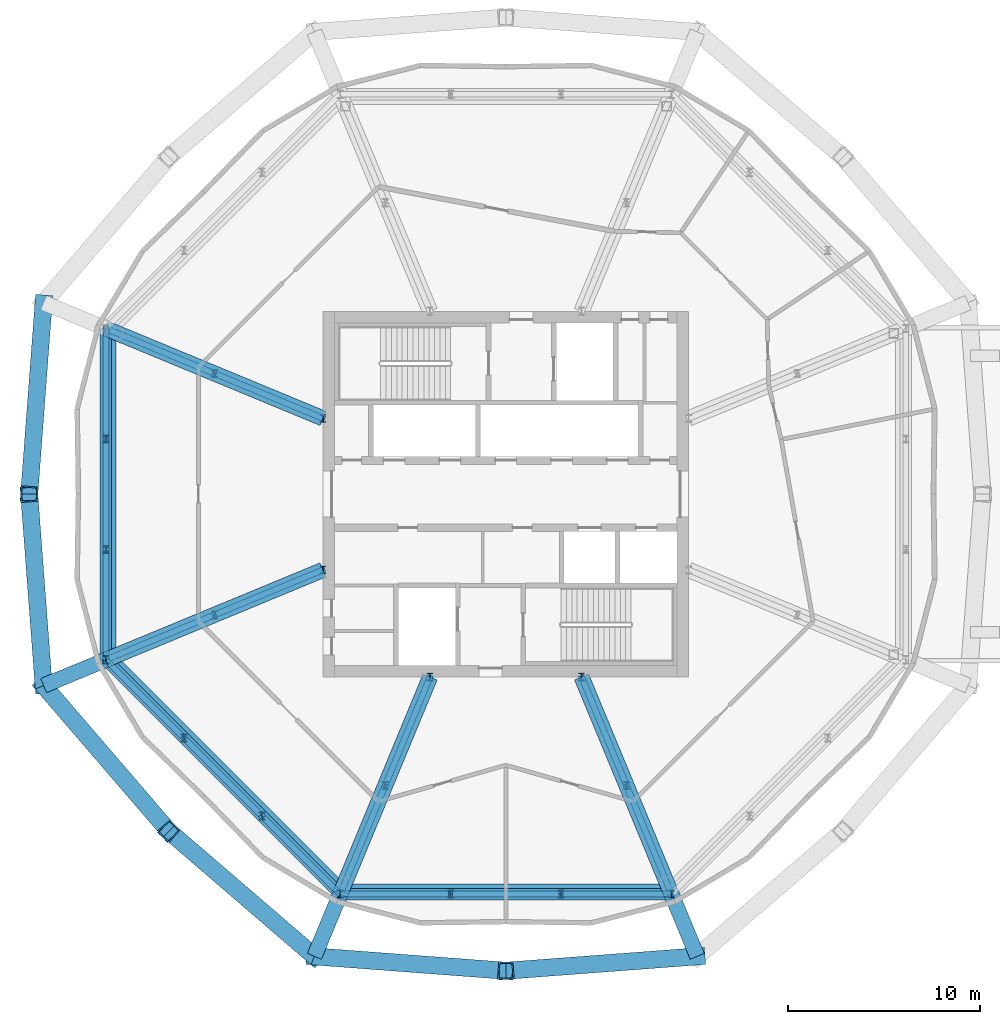
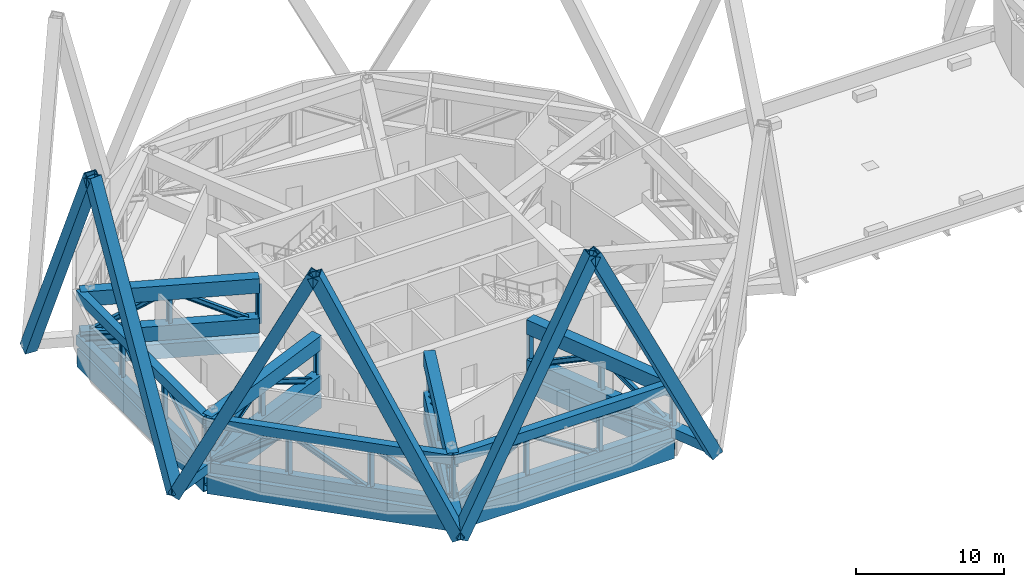
# One storey, part 3 of 20: 54 members, 10 beams.
"""IFC4 building model written with IfcOpenShell, lengths in metres."""

import ifcopenshell
import ifcopenshell.guid

model = None  # the IFC model being written
_history = None  # IfcOwnerHistory: only IFC2X3 demands one
_inside = {}  # id of a spatial element -> (the spatial element, [elements in it])
_under = {}  # id of a project, library or spatial element -> (it, [spatial elements below it])
_declared = {}  # id of a project -> (the project, [libraries it declares])
_typed = {}  # id of a type object -> (the type object, [elements of that type])
_made_of = {}  # id of a material, layer set ... -> (it, [elements and type objects made of it])


def new_model(schema):
    """Start an empty IFC model of exactly this schema.

    Asked for "IFC4X3", IfcOpenShell would pick the latest addendum, in which some entities
    have other attributes; the version numbers below select the first issue.
    IFC2X3 requires an IfcOwnerHistory on every rooted entity: one is made here for all.
    """
    global model, _history
    if schema == "IFC4X3":
        model = ifcopenshell.file(schema_version=(4, 3, 0, 0))
    else:
        model = ifcopenshell.file(schema=schema)
    _inside.clear()
    _under.clear()
    _declared.clear()
    _typed.clear()
    _made_of.clear()
    _history = None
    if model.schema == "IFC2X3":
        org = make("IfcOrganization", Name="unknown")
        user = make(
            "IfcPersonAndOrganization",
            ThePerson=make("IfcPerson", FamilyName="unknown"),
            TheOrganization=org,
        )
        app = make(
            "IfcApplication",
            ApplicationDeveloper=org,
            Version="unknown",
            ApplicationFullName="unknown",
            ApplicationIdentifier="unknown",
        )
        _history = make(
            "IfcOwnerHistory",
            OwningUser=user,
            OwningApplication=app,
            ChangeAction="ADDED",
            CreationDate=0,
        )
    return model


def make(cls, **values):
    """One entity of the class cls with the attributes given. An attribute that is None is left unset."""
    return model.create_entity(
        cls, **{name: value for name, value in values.items() if value is not None}
    )


def rooted(cls, **values):
    """An entity with a GlobalId (a new one), such as an element, a storey or a relation."""
    return make(cls, GlobalId=ifcopenshell.guid.new(), OwnerHistory=_history, **values)


def si_unit(unit_type, name, prefix=None):
    """IfcSIUnit, for example si_unit("LENGTHUNIT", "METRE", prefix="MILLI")."""
    return make("IfcSIUnit", UnitType=unit_type, Prefix=prefix, Name=name)


def assignment(units):
    """IfcUnitAssignment: the units of a project."""
    return None if units is None else make("IfcUnitAssignment", Units=units)


def point(xyz):
    """IfcCartesianPoint."""
    return None if xyz is None else make("IfcCartesianPoint", Coordinates=xyz)


def direction(xyz):
    """IfcDirection."""
    return None if xyz is None else make("IfcDirection", DirectionRatios=xyz)


def frame(location, z_axis=None, x_axis=None):
    """IfcAxis2Placement3D, a coordinate frame: its origin and axes. An axis left out is left unset."""
    return make(
        "IfcAxis2Placement3D",
        Location=point(location),
        Axis=direction(z_axis),
        RefDirection=direction(x_axis),
    )


def frame_2d(location, x_axis=None):
    """IfcAxis2Placement2D, a coordinate frame in the plane: its origin and x axis."""
    return make(
        "IfcAxis2Placement2D", Location=point(location), RefDirection=direction(x_axis)
    )


def origin():
    """The frame at (0, 0, 0) with its axes left unset."""
    return frame((0.0, 0.0, 0.0))


def origin_2d():
    """The frame at (0, 0) in the plane with its x axis left unset."""
    return frame_2d((0.0, 0.0))


def place(relative_to, where):
    """IfcLocalPlacement: puts the frame where relative to a parent placement (None: the world)."""
    return make(
        "IfcLocalPlacement", PlacementRelTo=relative_to, RelativePlacement=where
    )


def context(
    kind, dimensions, precision=None, world=None, true_north=None, identifier=None
):
    """IfcGeometricRepresentationContext, for example the 3D "Model" context."""
    return make(
        "IfcGeometricRepresentationContext",
        ContextIdentifier=identifier,
        ContextType=kind,
        CoordinateSpaceDimension=dimensions,
        Precision=precision,
        WorldCoordinateSystem=world,
        TrueNorth=true_north,
    )


def subcontext(parent, identifier, kind, view, scale=None):
    """IfcGeometricRepresentationSubContext, for example "Body" below "Model"."""
    return make(
        "IfcGeometricRepresentationSubContext",
        ContextIdentifier=identifier,
        ContextType=kind,
        ParentContext=parent,
        TargetScale=scale,
        TargetView=view,
    )


def project(units=None, contexts=None):
    """IfcProject with its units and contexts."""
    return rooted(
        "IfcProject",
        Name="project",
        RepresentationContexts=contexts,
        UnitsInContext=assignment(units),
    )


def spatial(cls, under=None, at=None, **own):
    """A site, building, storey or space (cls), placed at a placement, below another one or the project."""
    s = rooted(cls, ObjectPlacement=at, **own)
    if under is not None:
        _under.setdefault(under.id(), (under, []))[1].append(s)
    return s


def profile(cls, at=None, kind="AREA", **sizes):
    """A parametric profile (cls). Its sizes go by their IFC names, for example OverallWidth=200.0."""
    return make(cls, ProfileType=kind, Position=at, **sizes)


def hollow_rectangle(**sizes):
    """IfcRectangleHollowProfileDef."""
    return profile("IfcRectangleHollowProfileDef", **sizes)


def i_section(**sizes):
    """IfcIShapeProfileDef."""
    return profile("IfcIShapeProfileDef", **sizes)


def extrude(swept, where, along, depth):
    """IfcExtrudedAreaSolid: the profile swept, set in the frame where, extruded along a direction by depth."""
    return make(
        "IfcExtrudedAreaSolid",
        SweptArea=swept,
        Position=where,
        ExtrudedDirection=direction(along),
        Depth=depth,
    )


def shape(context_of_items, identifier, shape_type, items):
    """IfcShapeRepresentation: the items that make up one representation, for example the "Body"."""
    return make(
        "IfcShapeRepresentation",
        ContextOfItems=context_of_items,
        RepresentationIdentifier=identifier,
        RepresentationType=shape_type,
        Items=items,
    )


def material(Name=None, Category=None):
    """IfcMaterial."""
    return make("IfcMaterial", Name=Name, Category=Category)


def material_profile(
    of_material, cross_section, Name=None, Category=None, Priority=None
):
    """IfcMaterialProfile: a cross section and its material."""
    return make(
        "IfcMaterialProfile",
        Name=Name,
        Material=of_material,
        Profile=cross_section,
        Priority=Priority,
        Category=Category,
    )


def profile_set(profiles, Name=None, composite=None):
    """IfcMaterialProfileSet."""
    return make(
        "IfcMaterialProfileSet",
        Name=Name,
        MaterialProfiles=profiles,
        CompositeProfile=composite,
    )


def made_of(thing, what):
    """Note that an element or type object is made of a material, layer set ...; save() writes the relation."""
    if what is not None:
        _made_of.setdefault(what.id(), (what, []))[1].append(thing)
    return thing


def type_object(cls, material=None, **own):
    """A type object (cls), such as IfcWallType, which elements share."""
    return made_of(rooted(cls, **own), material)


def element(
    cls,
    number,
    at=None,
    inside=None,
    cuts=None,
    type_object=None,
    material=None,
    context=None,
    identifier="Body",
    shape_type=None,
    held_by="IfcProductDefinitionShape",
    body=None,
    shapes=None,
    **own,
):
    """One element of the class cls, such as IfcWall. Its Tag is "e" and its number.

    at: its placement. inside: the storey or other place that contains it. cuts: it is an
    opening in that element (IfcRelVoidsElement). A single representation is given by context,
    identifier, shape_type and body (its items); several are given by shapes. held_by: the class
    of the entity that holds the representations. save() writes the other relations.
    """
    e = rooted(cls, Tag="e%d" % number, ObjectPlacement=at, **own)
    if body is not None:
        shapes = [shape(context, identifier, shape_type, body)]
    if shapes is not None:
        e.Representation = make(held_by, Representations=shapes)
    if inside is not None:
        _inside.setdefault(inside.id(), (inside, []))[1].append(e)
    if cuts is not None:
        rooted(
            "IfcRelVoidsElement", RelatingBuildingElement=cuts, RelatedOpeningElement=e
        )
    if type_object is not None:
        _typed.setdefault(type_object.id(), (type_object, []))[1].append(e)
    return made_of(e, material)


def aggregate(whole, parts):
    """IfcRelAggregates: a whole, such as a stair, and the parts it consists of."""
    return rooted("IfcRelAggregates", RelatingObject=whole, RelatedObjects=parts)


def save(model, path):
    """Write the relations noted so far, then the file.

    IfcRelAggregates (storeys below a building ...), IfcRelContainedInSpatialStructure (elements
    in a storey), IfcRelDefinesByType, IfcRelAssociatesMaterial and IfcRelDeclares: one each for
    every whole, place, type object, material and project.
    """
    for whole, parts in _under.values():
        aggregate(whole, parts)
    for where, things in _inside.values():
        rooted(
            "IfcRelContainedInSpatialStructure",
            RelatedElements=things,
            RelatingStructure=where,
        )
    for kind, things in _typed.values():
        rooted("IfcRelDefinesByType", RelatedObjects=things, RelatingType=kind)
    for what, things in _made_of.values():
        rooted("IfcRelAssociatesMaterial", RelatedObjects=things, RelatingMaterial=what)
    for by, libraries in _declared.values():
        rooted("IfcRelDeclares", RelatingContext=by, RelatedDefinitions=libraries)
    model.write(path)


model = new_model("IFC4")

# Units and contexts
model_context = context("Model", 3, precision=1e-05, world=origin(), true_north=direction((0.0, 1.0)))
body_context = subcontext(model_context, "Body", "Model", "MODEL_VIEW")
ifc_project = project(units=[si_unit("LENGTHUNIT", "METRE"), si_unit("AREAUNIT", "SQUARE_METRE"), si_unit("VOLUMEUNIT", "CUBIC_METRE"), si_unit("PLANEANGLEUNIT", "RADIAN"), si_unit("MASSUNIT", "GRAM", prefix="KILO")], contexts=[model_context])

# Site, building, storey
site_placement = place(None, origin())
site = spatial("IfcSite", under=ifc_project, at=site_placement, CompositionType="ELEMENT")
building_placement = place(site_placement, origin())
building = spatial("IfcBuilding", under=site, at=building_placement, Name="Ogive Gate Towers", CompositionType="ELEMENT")
storey_placement = place(building_placement, frame((0.0, 0.0, 160.800048828125)))
storey = spatial("IfcBuildingStorey", under=building, at=storey_placement, Name="L38", CompositionType="ELEMENT", Elevation=160.800048828125)

# Members
ifc_material = material(Name="Steel SM460", Category="steel")
ifc_material_profile_1 = material_profile(ifc_material, hollow_rectangle(XDim=0.89990234375, YDim=0.89990234375, WallThickness=0.070068359375, at=origin_2d()), Name="BX 900x900x70")
ifc_profile_set_1 = profile_set([ifc_material_profile_1], Name="Steel SM460")
member_type_1 = type_object("IfcMemberType", Name="Diagrid diagonal BX 900x900x70", PredefinedType="BRACE", material=ifc_profile_set_1)
for number, where, z_axis, x_axis, name in (
    (1, (-60.01171875, 9.94580078125, 0.0), (-0.032953335145, -0.437994442779, 0.898373500165), (0.997181665421, -0.075024836873, 0.0), "T1/L38/SDG008"),
    (2, (-60.01171875, -9.94580078125, 0.0), (-0.032953335145, 0.437994442779, 0.898373500165), (-0.997181665421, -0.075024836873, 0.0), "T1/L38/SDG009"),
):
    element("IfcMember", number, at=place(storey_placement, frame(where, z_axis=z_axis, x_axis=x_axis)), inside=storey, type_object=member_type_1, Name=name, PredefinedType="BRACE", context=body_context, shape_type="SweptSolid", body=[
        extrude(hollow_rectangle(XDim=0.89990234375, YDim=0.89990234375, WallThickness=0.070068359375, at=origin_2d()), origin(), (0.0, 0.0, 1.0), 22.70751953125),
    ])
for number, where, z_axis, x_axis, name in (
    (3, (-60.01171875, -9.94580078125, 0.0), (0.286407312058, -0.333025507377, 0.898367888471), (0.758179145942, 0.652046304076, 0.0), "T1/L38/SDG010"),
    (4, (-45.94580078125, -24.01171875, 0.0), (-0.333025507377, 0.286407312058, 0.898367888471), (-0.652046304076, -0.758179145942, 0.0), "T1/L38/SDG011"),
):
    element("IfcMember", number, at=place(storey_placement, frame(where, z_axis=z_axis, x_axis=x_axis)), inside=storey, type_object=member_type_1, Name=name, PredefinedType="BRACE", context=body_context, shape_type="SweptSolid", body=[
        extrude(hollow_rectangle(XDim=0.89990234375, YDim=0.89990234375, WallThickness=0.070068359375, at=origin_2d()), origin(), (0.0, 0.0, 1.0), 22.707763671875),
    ])
for number, where, z_axis, x_axis, name in (
    (5, (-45.94580078125, -24.01171875, 0.0), (0.437994442779, -0.032953335145, 0.898373500165), (0.075024836873, 0.997181665421, 0.0), "T1/L38/SDG012"),
    (6, (-26.05419921875, -24.01171875, 0.0), (-0.437994442779, -0.032953335145, 0.898373500165), (0.075024836873, -0.997181665421, 0.0), "T1/L38/SDG013"),
):
    element("IfcMember", number, at=place(storey_placement, frame(where, z_axis=z_axis, x_axis=x_axis)), inside=storey, type_object=member_type_1, Name=name, PredefinedType="BRACE", context=body_context, shape_type="SweptSolid", body=[
        extrude(hollow_rectangle(XDim=0.89990234375, YDim=0.89990234375, WallThickness=0.070068359375, at=origin_2d()), origin(), (0.0, 0.0, 1.0), 22.70751953125),
    ])

# Beams
ifc_material_profile_2 = material_profile(ifc_material, hollow_rectangle(XDim=0.800048828125, YDim=1.5, WallThickness=0.06005859375, at=origin_2d()), Name="BX 1500x800x60")
ifc_profile_set_2 = profile_set([ifc_material_profile_2], Name="Steel SM460")
beam_type_1 = type_object("IfcBeamType", Name="Edge girder BX 1500x800x60", PredefinedType="BEAM", material=ifc_profile_set_2)
beam_placement = place(storey_placement, frame((-56.639404296875, -8.549072265625, -1.050048828125), z_axis=(0.707106781187, -0.707106781187, 0.0), x_axis=(0.707106781187, 0.707106781187, 0.0)))
element("IfcBeam", 7, at=beam_placement, inside=storey, type_object=beam_type_1, Name="T1/L38/SBM009", PredefinedType="BEAM", context=body_context, shape_type="SweptSolid", body=[
    extrude(hollow_rectangle(XDim=0.800048828125, YDim=1.5, WallThickness=0.06005859375, at=origin_2d()), origin(), (0.0, 0.0, 1.0), 17.098388671875),
])
for number, where, z_axis, x_axis, name in (
    (8, (-44.549072265625, -20.639404296875, -1.050048828125), (1.0, 0.0, 0.0), (0.0, 1.0, 0.0), "T1/L38/SBM010"),
    (9, (-56.639404296875, 8.549072265625, -1.050048828125), (0.0, -1.0, 0.0), (1.0, 0.0, 0.0), "T1/L38/SBM016"),
):
    element("IfcBeam", number, at=place(storey_placement, frame(where, z_axis=z_axis, x_axis=x_axis)), inside=storey, type_object=beam_type_1, Name=name, PredefinedType="BEAM", context=body_context, shape_type="SweptSolid", body=[
        extrude(hollow_rectangle(XDim=0.800048828125, YDim=1.5, WallThickness=0.06005859375, at=origin_2d()), origin(), (0.0, 0.0, 1.0), 17.09814453125),
    ])
ifc_material_profile_3 = material_profile(ifc_material, hollow_rectangle(XDim=0.800048828125, YDim=0.800048828125, WallThickness=0.050048828125, at=origin_2d()), Name="BX 800x800x50")
ifc_profile_set_3 = profile_set([ifc_material_profile_3], Name="Steel SM460")
beam_type_2 = type_object("IfcBeamType", Name="Node arm BX 800x800x50", PredefinedType="BEAM", material=ifc_profile_set_3)
for number, where, z_axis, x_axis, name in (
    (10, (-56.778076171875, -8.6064453125, 0.449951171875), (-0.923885910704, -0.382668033682, 0.0), (0.382668033682, -0.923885910704, 0.0), "T1/L38/SBM021"),
    (11, (-44.6064453125, -20.778076171875, 0.449951171875), (-0.382668033682, -0.923885910704, 0.0), (0.923885910704, -0.382668033682, 0.0), "T1/L38/SBM022"),
    (12, (-27.3935546875, -20.778076171875, 0.449951171875), (0.382668033682, -0.923885910704, 0.0), (0.923885910704, 0.382668033682, 0.0), "T1/L38/SBM023"),
):
    element("IfcBeam", number, at=place(storey_placement, frame(where, z_axis=z_axis, x_axis=x_axis)), inside=storey, type_object=beam_type_2, Name=name, PredefinedType="BEAM", context=body_context, shape_type="SweptSolid", body=[
        extrude(hollow_rectangle(XDim=0.800048828125, YDim=0.800048828125, WallThickness=0.050048828125, at=origin_2d()), origin(), (0.0, 0.0, 1.0), 3.5),
    ])
ifc_material_profile_4 = material_profile(ifc_material, hollow_rectangle(XDim=0.800048828125, YDim=1.199951171875, WallThickness=0.050048828125, at=origin_2d()), Name="BX 1200x800x50")
ifc_profile_set_4 = profile_set([ifc_material_profile_4], Name="Steel SM460")
beam_type_3 = type_object("IfcBeamType", Name="Transfer radial beam BX 1200x800x50", PredefinedType="BEAM", material=ifc_profile_set_4)
for number, where, z_axis, x_axis, name in (
    (13, (-45.5, -3.93505859375, -0.900146484375), (-0.923881839184, -0.382677863518, 0.0), (0.382677863518, -0.923881839184, 0.0), "T1/L38/SBM001"),
    (14, (-39.93505859375, -9.5, -0.900146484375), (-0.382677863518, -0.923881839184, 0.0), (0.923881839184, -0.382677863518, 0.0), "T1/L38/SBM002"),
    (15, (-32.06494140625, -9.5, -0.900146484375), (0.382677863518, -0.923881839184, 0.0), (0.923881839184, 0.382677863518, 0.0), "T1/L38/SBM003"),
    (16, (-45.5, 3.93505859375, -0.900146484375), (-0.923881839184, 0.382677863518, 0.0), (-0.382677863518, -0.923881839184, 0.0), "T1/L38/SBM008"),
):
    element("IfcBeam", number, at=place(storey_placement, frame(where, z_axis=z_axis, x_axis=x_axis)), inside=storey, type_object=beam_type_3, Name=name, PredefinedType="BEAM", context=body_context, shape_type="SweptSolid", body=[
        extrude(hollow_rectangle(XDim=0.800048828125, YDim=1.199951171875, WallThickness=0.050048828125, at=origin_2d()), origin(), (0.0, 0.0, 1.0), 12.05712890625),
    ])

# Members
ifc_material_profile_5 = material_profile(ifc_material, hollow_rectangle(XDim=0.800048828125, YDim=1.199951171875, WallThickness=0.050048828125, at=origin_2d()), Name="BX 1200x800x50")
ifc_profile_set_5 = profile_set([ifc_material_profile_5], Name="Steel SM460")
member_type_2 = type_object("IfcMemberType", Name="Truss chord BX 1200x800x50", PredefinedType="CHORD", material=ifc_profile_set_5)
for number, where, z_axis, x_axis, name in (
    (17, (-45.5, 3.93505859375, 0.599853515625), (-0.9238837433, 0.382673266464, 0.0), (-0.382673266464, -0.9238837433, 0.0), "T1/L38/STR052"),
    (18, (-45.5, 3.93505859375, 3.89990234375), (-0.9238837433, 0.382673266464, 0.0), (-0.382673266464, -0.9238837433, 0.0), "T1/L38/STR053"),
    (19, (-45.5, -3.93505859375, 0.599853515625), (-0.9238837433, -0.382673266464, 0.0), (0.382673266464, -0.9238837433, 0.0), "T1/L38/STR066"),
    (20, (-45.5, -3.93505859375, 3.89990234375), (-0.9238837433, -0.382673266464, 0.0), (0.382673266464, -0.9238837433, 0.0), "T1/L38/STR067"),
    (21, (-39.93505859375, -9.5, 0.599853515625), (-0.382673266464, -0.9238837433, 0.0), (0.9238837433, -0.382673266464, 0.0), "T1/L38/STR080"),
    (22, (-39.93505859375, -9.5, 3.89990234375), (-0.382673266464, -0.9238837433, 0.0), (0.9238837433, -0.382673266464, 0.0), "T1/L38/STR081"),
    (23, (-32.06494140625, -9.5, 0.599853515625), (0.382673266464, -0.9238837433, 0.0), (0.9238837433, 0.382673266464, 0.0), "T1/L38/STR094"),
    (24, (-32.06494140625, -9.5, 3.89990234375), (0.382673266464, -0.9238837433, 0.0), (0.9238837433, 0.382673266464, 0.0), "T1/L38/STR095"),
):
    element("IfcMember", number, at=place(storey_placement, frame(where, z_axis=z_axis, x_axis=x_axis)), inside=storey, type_object=member_type_2, Name=name, PredefinedType="CHORD", context=body_context, shape_type="SweptSolid", body=[
        extrude(hollow_rectangle(XDim=0.800048828125, YDim=1.199951171875, WallThickness=0.050048828125, at=origin_2d()), origin(), (0.0, 0.0, 1.0), 12.207275390625),
    ])
ifc_material_profile_6 = material_profile(ifc_material, hollow_rectangle(XDim=0.60009765625, YDim=0.800048828125, WallThickness=0.0400390625, at=origin_2d()), Name="BX 800x600x40")
ifc_profile_set_6 = profile_set([ifc_material_profile_6], Name="Steel SM460")
member_type_3 = type_object("IfcMemberType", Name="Truss chord BX 800x600x40", PredefinedType="CHORD", material=ifc_profile_set_6)
for number, where, z_axis, x_axis, name in (
    (25, (-56.778076171875, 8.6064453125, 0.39990234375), (0.0, -1.0, 0.0), (1.0, 0.0, 0.0), "T1/L38/STR044"),
    (26, (-56.778076171875, 8.6064453125, 4.099853515625), (0.0, -1.0, 0.0), (1.0, 0.0, 0.0), "T1/L38/STR045"),
):
    element("IfcMember", number, at=place(storey_placement, frame(where, z_axis=z_axis, x_axis=x_axis)), inside=storey, type_object=member_type_3, Name=name, PredefinedType="CHORD", context=body_context, shape_type="SweptSolid", body=[
        extrude(hollow_rectangle(XDim=0.60009765625, YDim=0.800048828125, WallThickness=0.0400390625, at=origin_2d()), origin(), (0.0, 0.0, 1.0), 17.212890625),
    ])
for number, where, z_axis, x_axis, name in (
    (27, (-56.778076171875, -8.6064453125, 0.39990234375), (0.707106781187, -0.707106781187, 0.0), (0.707106781187, 0.707106781187, 0.0), "T1/L38/STR058"),
    (28, (-56.778076171875, -8.6064453125, 4.099853515625), (0.707106781187, -0.707106781187, 0.0), (0.707106781187, 0.707106781187, 0.0), "T1/L38/STR059"),
):
    element("IfcMember", number, at=place(storey_placement, frame(where, z_axis=z_axis, x_axis=x_axis)), inside=storey, type_object=member_type_3, Name=name, PredefinedType="CHORD", context=body_context, shape_type="SweptSolid", body=[
        extrude(hollow_rectangle(XDim=0.60009765625, YDim=0.800048828125, WallThickness=0.0400390625, at=origin_2d()), origin(), (0.0, 0.0, 1.0), 17.21337890625),
    ])
for number, where, z_axis, x_axis, name in (
    (29, (-44.6064453125, -20.778076171875, 0.39990234375), (1.0, 0.0, 0.0), (0.0, 1.0, 0.0), "T1/L38/STR072"),
    (30, (-44.6064453125, -20.778076171875, 4.099853515625), (1.0, 0.0, 0.0), (0.0, 1.0, 0.0), "T1/L38/STR073"),
):
    element("IfcMember", number, at=place(storey_placement, frame(where, z_axis=z_axis, x_axis=x_axis)), inside=storey, type_object=member_type_3, Name=name, PredefinedType="CHORD", context=body_context, shape_type="SweptSolid", body=[
        extrude(hollow_rectangle(XDim=0.60009765625, YDim=0.800048828125, WallThickness=0.0400390625, at=origin_2d()), origin(), (0.0, 0.0, 1.0), 17.212890625),
    ])
ifc_material_profile_7 = material_profile(ifc_material, i_section(OverallWidth=0.300048828125, OverallDepth=0.39990234375, WebThickness=0.013427734375, FlangeThickness=0.02392578125, FilletRadius=0.027099609375, at=origin_2d()), Name="HE 400 B")
ifc_profile_set_7 = profile_set([ifc_material_profile_7], Name="Steel SM460")
member_type_4 = type_object("IfcMemberType", Name="Truss diagonal HE 400 B", PredefinedType="BRACE", material=ifc_profile_set_7)
member_1_placement = place(storey_placement, frame((-56.778076171875, 8.6064453125, 0.39990234375), z_axis=(0.0, -0.840409613469, 0.541951733634), x_axis=(1.0, 0.0, 0.0)))
element("IfcMember", 31, at=member_1_placement, inside=storey, type_object=member_type_4, Name="T1/L38/STR046", PredefinedType="BRACE", context=body_context, shape_type="SweptSolid", body=[
    extrude(i_section(OverallWidth=0.300048828125, OverallDepth=0.39990234375, WebThickness=0.013427734375, FlangeThickness=0.02392578125, FilletRadius=0.027099609375, at=origin_2d()), origin(), (0.0, 0.0, 1.0), 6.8271484375),
])
member_2_placement = place(storey_placement, frame((-56.778076171875, 2.868896484375, 4.099853515625), z_axis=(0.0, -0.840420116299, -0.541935446452), x_axis=(1.0, 0.0, 0.0)))
element("IfcMember", 32, at=member_2_placement, inside=storey, type_object=member_type_4, Name="T1/L38/STR047", PredefinedType="BRACE", context=body_context, shape_type="SweptSolid", body=[
    extrude(i_section(OverallWidth=0.300048828125, OverallDepth=0.39990234375, WebThickness=0.013427734375, FlangeThickness=0.02392578125, FilletRadius=0.027099609375, at=origin_2d()), origin(), (0.0, 0.0, 1.0), 6.827392578125),
])
member_3_placement = place(storey_placement, frame((-56.778076171875, -2.868896484375, 4.099853515625), z_axis=(0.0, -0.840409613469, -0.541951733634), x_axis=(1.0, 0.0, 0.0)))
element("IfcMember", 33, at=member_3_placement, inside=storey, type_object=member_type_4, Name="T1/L38/STR048", PredefinedType="BRACE", context=body_context, shape_type="SweptSolid", body=[
    extrude(i_section(OverallWidth=0.300048828125, OverallDepth=0.39990234375, WebThickness=0.013427734375, FlangeThickness=0.02392578125, FilletRadius=0.027099609375, at=origin_2d()), origin(), (0.0, 0.0, 1.0), 6.8271484375),
])
member_4_placement = place(storey_placement, frame((-45.5, 3.93505859375, 0.599853515625), z_axis=(-0.812696392347, 0.336626678165, 0.47561229317), x_axis=(-0.382680337371, -0.923880814494, 0.0)))
element("IfcMember", 34, at=member_4_placement, inside=storey, type_object=member_type_4, Name="T1/L38/STR054", PredefinedType="BRACE", context=body_context, shape_type="SweptSolid", body=[
    extrude(i_section(OverallWidth=0.300048828125, OverallDepth=0.39990234375, WebThickness=0.013427734375, FlangeThickness=0.02392578125, FilletRadius=0.027099609375, at=origin_2d()), origin(), (0.0, 0.0, 1.0), 6.9384765625),
])
member_5_placement = place(storey_placement, frame((-51.138916015625, 6.270751953125, 3.89990234375), z_axis=(-0.812708338424, 0.336617052286, -0.475598692981), x_axis=(-0.382666195796, -0.923886671944, 0.0)))
element("IfcMember", 35, at=member_5_placement, inside=storey, type_object=member_type_4, Name="T1/L38/STR055", PredefinedType="BRACE", context=body_context, shape_type="SweptSolid", body=[
    extrude(i_section(OverallWidth=0.300048828125, OverallDepth=0.39990234375, WebThickness=0.013427734375, FlangeThickness=0.02392578125, FilletRadius=0.027099609375, at=origin_2d()), origin(), (0.0, 0.0, 1.0), 6.938720703125),
])
member_6_placement = place(storey_placement, frame((-56.778076171875, -8.6064453125, 0.39990234375), z_axis=(0.594262314662, -0.594262314662, 0.541945202714), x_axis=(0.707106781187, 0.707106781187, 0.0)))
element("IfcMember", 36, at=member_6_placement, inside=storey, type_object=member_type_4, Name="T1/L38/STR060", PredefinedType="BRACE", context=body_context, shape_type="SweptSolid", body=[
    extrude(i_section(OverallWidth=0.300048828125, OverallDepth=0.39990234375, WebThickness=0.013427734375, FlangeThickness=0.02392578125, FilletRadius=0.027099609375, at=origin_2d()), origin(), (0.0, 0.0, 1.0), 6.8271484375),
])
member_7_placement = place(storey_placement, frame((-52.720947265625, -12.66357421875, 4.099853515625), z_axis=(0.594272816916, -0.594272816916, -0.541922169827), x_axis=(0.707106781187, 0.707106781187, 0.0)))
element("IfcMember", 37, at=member_7_placement, inside=storey, type_object=member_type_4, Name="T1/L38/STR061", PredefinedType="BRACE", context=body_context, shape_type="SweptSolid", body=[
    extrude(i_section(OverallWidth=0.300048828125, OverallDepth=0.39990234375, WebThickness=0.013427734375, FlangeThickness=0.02392578125, FilletRadius=0.027099609375, at=origin_2d()), origin(), (0.0, 0.0, 1.0), 6.827392578125),
])
member_8_placement = place(storey_placement, frame((-48.66357421875, -16.720947265625, 4.099853515625), z_axis=(0.594262314662, -0.594262314662, -0.541945202714), x_axis=(0.707106781187, 0.707106781187, 0.0)))
element("IfcMember", 38, at=member_8_placement, inside=storey, type_object=member_type_4, Name="T1/L38/STR062", PredefinedType="BRACE", context=body_context, shape_type="SweptSolid", body=[
    extrude(i_section(OverallWidth=0.300048828125, OverallDepth=0.39990234375, WebThickness=0.013427734375, FlangeThickness=0.02392578125, FilletRadius=0.027099609375, at=origin_2d()), origin(), (0.0, 0.0, 1.0), 6.8271484375),
])
member_9_placement = place(storey_placement, frame((-45.5, -3.93505859375, 0.599853515625), z_axis=(-0.812696392347, -0.336626678165, 0.47561229317), x_axis=(0.382680337371, -0.923880814494, 0.0)))
element("IfcMember", 39, at=member_9_placement, inside=storey, type_object=member_type_4, Name="T1/L38/STR068", PredefinedType="BRACE", context=body_context, shape_type="SweptSolid", body=[
    extrude(i_section(OverallWidth=0.300048828125, OverallDepth=0.39990234375, WebThickness=0.013427734375, FlangeThickness=0.02392578125, FilletRadius=0.027099609375, at=origin_2d()), origin(), (0.0, 0.0, 1.0), 6.9384765625),
])
member_10_placement = place(storey_placement, frame((-51.138916015625, -6.270751953125, 3.89990234375), z_axis=(-0.812708338424, -0.336617052286, -0.475598692981), x_axis=(0.382666195796, -0.923886671944, 0.0)))
element("IfcMember", 40, at=member_10_placement, inside=storey, type_object=member_type_4, Name="T1/L38/STR069", PredefinedType="BRACE", context=body_context, shape_type="SweptSolid", body=[
    extrude(i_section(OverallWidth=0.300048828125, OverallDepth=0.39990234375, WebThickness=0.013427734375, FlangeThickness=0.02392578125, FilletRadius=0.027099609375, at=origin_2d()), origin(), (0.0, 0.0, 1.0), 6.938720703125),
])
member_11_placement = place(storey_placement, frame((-44.6064453125, -20.778076171875, 0.39990234375), z_axis=(0.840409613469, 0.0, 0.541951733634), x_axis=(0.0, 1.0, 0.0)))
element("IfcMember", 41, at=member_11_placement, inside=storey, type_object=member_type_4, Name="T1/L38/STR074", PredefinedType="BRACE", context=body_context, shape_type="SweptSolid", body=[
    extrude(i_section(OverallWidth=0.300048828125, OverallDepth=0.39990234375, WebThickness=0.013427734375, FlangeThickness=0.02392578125, FilletRadius=0.027099609375, at=origin_2d()), origin(), (0.0, 0.0, 1.0), 6.8271484375),
])
member_12_placement = place(storey_placement, frame((-38.868896484375, -20.778076171875, 4.099853515625), z_axis=(0.840420116299, 0.0, -0.541935446452), x_axis=(0.0, 1.0, 0.0)))
element("IfcMember", 42, at=member_12_placement, inside=storey, type_object=member_type_4, Name="T1/L38/STR075", PredefinedType="BRACE", context=body_context, shape_type="SweptSolid", body=[
    extrude(i_section(OverallWidth=0.300048828125, OverallDepth=0.39990234375, WebThickness=0.013427734375, FlangeThickness=0.02392578125, FilletRadius=0.027099609375, at=origin_2d()), origin(), (0.0, 0.0, 1.0), 6.827392578125),
])
member_13_placement = place(storey_placement, frame((-33.131103515625, -20.778076171875, 4.099853515625), z_axis=(0.840409613469, 0.0, -0.541951733634), x_axis=(0.0, 1.0, 0.0)))
element("IfcMember", 43, at=member_13_placement, inside=storey, type_object=member_type_4, Name="T1/L38/STR076", PredefinedType="BRACE", context=body_context, shape_type="SweptSolid", body=[
    extrude(i_section(OverallWidth=0.300048828125, OverallDepth=0.39990234375, WebThickness=0.013427734375, FlangeThickness=0.02392578125, FilletRadius=0.027099609375, at=origin_2d()), origin(), (0.0, 0.0, 1.0), 6.8271484375),
])
member_14_placement = place(storey_placement, frame((-39.93505859375, -9.5, 0.599853515625), z_axis=(-0.336626678165, -0.812696392347, 0.47561229317), x_axis=(0.923880814494, -0.382680337371, 0.0)))
element("IfcMember", 44, at=member_14_placement, inside=storey, type_object=member_type_4, Name="T1/L38/STR082", PredefinedType="BRACE", context=body_context, shape_type="SweptSolid", body=[
    extrude(i_section(OverallWidth=0.300048828125, OverallDepth=0.39990234375, WebThickness=0.013427734375, FlangeThickness=0.02392578125, FilletRadius=0.027099609375, at=origin_2d()), origin(), (0.0, 0.0, 1.0), 6.9384765625),
])
member_15_placement = place(storey_placement, frame((-42.270751953125, -15.138916015625, 3.89990234375), z_axis=(-0.336617052286, -0.812708338424, -0.475598692981), x_axis=(0.923886671944, -0.382666195796, 0.0)))
element("IfcMember", 45, at=member_15_placement, inside=storey, type_object=member_type_4, Name="T1/L38/STR083", PredefinedType="BRACE", context=body_context, shape_type="SweptSolid", body=[
    extrude(i_section(OverallWidth=0.300048828125, OverallDepth=0.39990234375, WebThickness=0.013427734375, FlangeThickness=0.02392578125, FilletRadius=0.027099609375, at=origin_2d()), origin(), (0.0, 0.0, 1.0), 6.938720703125),
])
member_16_placement = place(storey_placement, frame((-32.06494140625, -9.5, 0.599853515625), z_axis=(0.336626678165, -0.812696392347, 0.47561229317), x_axis=(0.923880814494, 0.382680337371, 0.0)))
element("IfcMember", 46, at=member_16_placement, inside=storey, type_object=member_type_4, Name="T1/L38/STR096", PredefinedType="BRACE", context=body_context, shape_type="SweptSolid", body=[
    extrude(i_section(OverallWidth=0.300048828125, OverallDepth=0.39990234375, WebThickness=0.013427734375, FlangeThickness=0.02392578125, FilletRadius=0.027099609375, at=origin_2d()), origin(), (0.0, 0.0, 1.0), 6.9384765625),
])
member_17_placement = place(storey_placement, frame((-29.729248046875, -15.138916015625, 3.89990234375), z_axis=(0.336617052286, -0.812708338424, -0.475598692981), x_axis=(0.923886671944, 0.382666195796, 0.0)))
element("IfcMember", 47, at=member_17_placement, inside=storey, type_object=member_type_4, Name="T1/L38/STR097", PredefinedType="BRACE", context=body_context, shape_type="SweptSolid", body=[
    extrude(i_section(OverallWidth=0.300048828125, OverallDepth=0.39990234375, WebThickness=0.013427734375, FlangeThickness=0.02392578125, FilletRadius=0.027099609375, at=origin_2d()), origin(), (0.0, 0.0, 1.0), 6.938720703125),
])
ifc_material_profile_8 = material_profile(ifc_material, i_section(OverallWidth=0.300048828125, OverallDepth=0.39990234375, WebThickness=0.013427734375, FlangeThickness=0.02392578125, FilletRadius=0.027099609375, at=origin_2d()), Name="HE 400 B")
ifc_profile_set_8 = profile_set([ifc_material_profile_8], Name="Steel SM460")
member_type_5 = type_object("IfcMemberType", Name="Truss post HE 400 B", PredefinedType="POST", material=ifc_profile_set_8)
for number, where, z_axis, x_axis, name in (
    (48, (-56.778076171875, 2.868896484375, 0.39990234375), (0.0, 0.0, 1.0), (1.0, 0.0, 0.0), "T1/L38/STR049"),
    (49, (-56.778076171875, -2.868896484375, 0.39990234375), (0.0, 0.0, 1.0), (1.0, 0.0, 0.0), "T1/L38/STR050"),
    (50, (-56.778076171875, -8.6064453125, 0.39990234375), (0.0, 0.0, 1.0), (1.0, 0.0, 0.0), "T1/L38/STR051"),
):
    element("IfcMember", number, at=place(storey_placement, frame(where, z_axis=z_axis, x_axis=x_axis)), inside=storey, type_object=member_type_5, Name=name, PredefinedType="POST", context=body_context, shape_type="SweptSolid", body=[
        extrude(i_section(OverallWidth=0.300048828125, OverallDepth=0.39990234375, WebThickness=0.013427734375, FlangeThickness=0.02392578125, FilletRadius=0.027099609375, at=origin_2d()), origin(), (0.0, 0.0, 1.0), 3.699951171875),
    ])
for number, where, z_axis, x_axis, name in (
    (51, (-45.5, 3.93505859375, 0.599853515625), (0.0, 0.0, 1.0), (1.0, 0.0, 0.0), "T1/L38/STR056"),
    (52, (-51.138916015625, 6.270751953125, 0.599853515625), (0.0, 0.0, 1.0), (1.0, 0.0, 0.0), "T1/L38/STR057"),
):
    element("IfcMember", number, at=place(storey_placement, frame(where, z_axis=z_axis, x_axis=x_axis)), inside=storey, type_object=member_type_5, Name=name, PredefinedType="POST", context=body_context, shape_type="SweptSolid", body=[
        extrude(i_section(OverallWidth=0.300048828125, OverallDepth=0.39990234375, WebThickness=0.013427734375, FlangeThickness=0.02392578125, FilletRadius=0.027099609375, at=origin_2d()), origin(), (0.0, 0.0, 1.0), 3.300048828125),
    ])
for number, where, z_axis, x_axis, name in (
    (53, (-52.720947265625, -12.66357421875, 0.39990234375), (0.0, 0.0, 1.0), (1.0, 0.0, 0.0), "T1/L38/STR063"),
    (54, (-48.66357421875, -16.720947265625, 0.39990234375), (0.0, 0.0, 1.0), (1.0, 0.0, 0.0), "T1/L38/STR064"),
    (55, (-44.6064453125, -20.778076171875, 0.39990234375), (0.0, 0.0, 1.0), (1.0, 0.0, 0.0), "T1/L38/STR065"),
):
    element("IfcMember", number, at=place(storey_placement, frame(where, z_axis=z_axis, x_axis=x_axis)), inside=storey, type_object=member_type_5, Name=name, PredefinedType="POST", context=body_context, shape_type="SweptSolid", body=[
        extrude(i_section(OverallWidth=0.300048828125, OverallDepth=0.39990234375, WebThickness=0.013427734375, FlangeThickness=0.02392578125, FilletRadius=0.027099609375, at=origin_2d()), origin(), (0.0, 0.0, 1.0), 3.699951171875),
    ])
for number, where, z_axis, x_axis, name in (
    (56, (-45.5, -3.93505859375, 0.599853515625), (0.0, 0.0, 1.0), (1.0, 0.0, 0.0), "T1/L38/STR070"),
    (57, (-51.138916015625, -6.270751953125, 0.599853515625), (0.0, 0.0, 1.0), (1.0, 0.0, 0.0), "T1/L38/STR071"),
):
    element("IfcMember", number, at=place(storey_placement, frame(where, z_axis=z_axis, x_axis=x_axis)), inside=storey, type_object=member_type_5, Name=name, PredefinedType="POST", context=body_context, shape_type="SweptSolid", body=[
        extrude(i_section(OverallWidth=0.300048828125, OverallDepth=0.39990234375, WebThickness=0.013427734375, FlangeThickness=0.02392578125, FilletRadius=0.027099609375, at=origin_2d()), origin(), (0.0, 0.0, 1.0), 3.300048828125),
    ])
for number, where, z_axis, x_axis, name in (
    (58, (-38.868896484375, -20.778076171875, 0.39990234375), (0.0, 0.0, 1.0), (1.0, 0.0, 0.0), "T1/L38/STR077"),
    (59, (-33.131103515625, -20.778076171875, 0.39990234375), (0.0, 0.0, 1.0), (1.0, 0.0, 0.0), "T1/L38/STR078"),
    (60, (-27.3935546875, -20.778076171875, 0.39990234375), (0.0, 0.0, 1.0), (1.0, 0.0, 0.0), "T1/L38/STR079"),
):
    element("IfcMember", number, at=place(storey_placement, frame(where, z_axis=z_axis, x_axis=x_axis)), inside=storey, type_object=member_type_5, Name=name, PredefinedType="POST", context=body_context, shape_type="SweptSolid", body=[
        extrude(i_section(OverallWidth=0.300048828125, OverallDepth=0.39990234375, WebThickness=0.013427734375, FlangeThickness=0.02392578125, FilletRadius=0.027099609375, at=origin_2d()), origin(), (0.0, 0.0, 1.0), 3.699951171875),
    ])
for number, where, z_axis, x_axis, name in (
    (61, (-39.93505859375, -9.5, 0.599853515625), (0.0, 0.0, 1.0), (1.0, 0.0, 0.0), "T1/L38/STR084"),
    (62, (-42.270751953125, -15.138916015625, 0.599853515625), (0.0, 0.0, 1.0), (1.0, 0.0, 0.0), "T1/L38/STR085"),
    (63, (-32.06494140625, -9.5, 0.599853515625), (0.0, 0.0, 1.0), (1.0, 0.0, 0.0), "T1/L38/STR098"),
    (64, (-29.729248046875, -15.138916015625, 0.599853515625), (0.0, 0.0, 1.0), (1.0, 0.0, 0.0), "T1/L38/STR099"),
):
    element("IfcMember", number, at=place(storey_placement, frame(where, z_axis=z_axis, x_axis=x_axis)), inside=storey, type_object=member_type_5, Name=name, PredefinedType="POST", context=body_context, shape_type="SweptSolid", body=[
        extrude(i_section(OverallWidth=0.300048828125, OverallDepth=0.39990234375, WebThickness=0.013427734375, FlangeThickness=0.02392578125, FilletRadius=0.027099609375, at=origin_2d()), origin(), (0.0, 0.0, 1.0), 3.300048828125),
    ])

save(model, "model.ifc")
